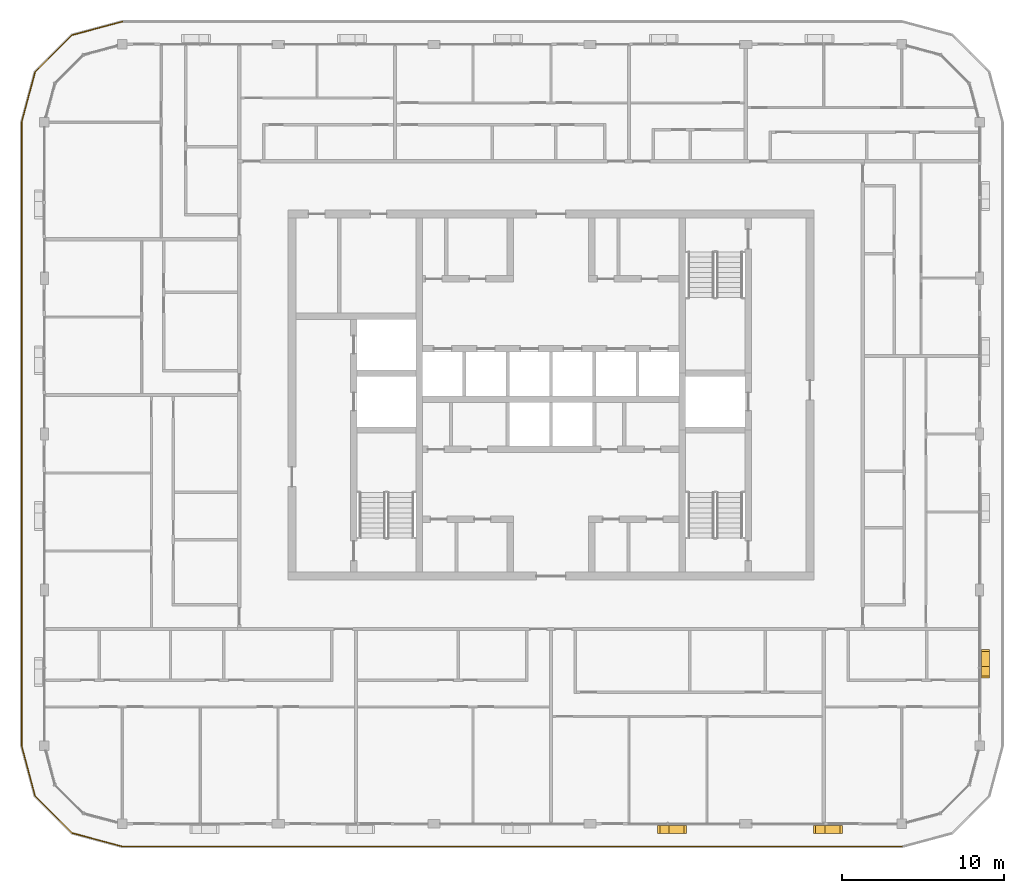
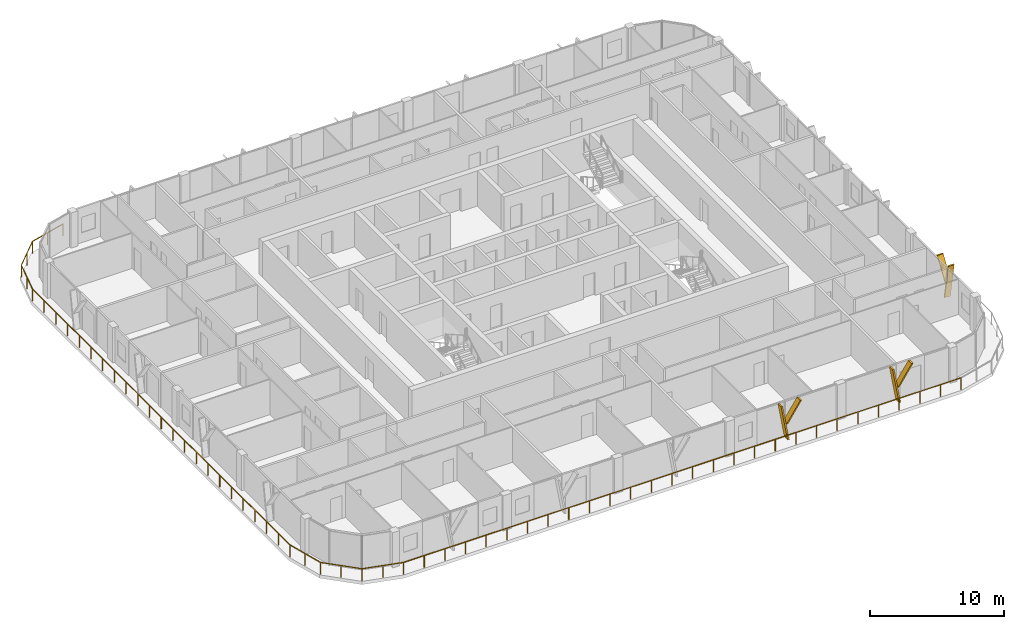
# One storey, part 18 of 21: 6 shading devices, 1 railing.
"""IFC4 building model written with IfcOpenShell, lengths in metres."""

from ifc_helpers import new_model, si_unit, direction, frame, origin, origin_2d, place, context, subcontext, project, spatial, polyline, circle, outline, extrude, material, type_object, element, save


model = new_model("IFC4")

# Units and contexts
model_context = context("Model", 3, precision=1e-05, world=origin(), true_north=direction((0.0, 1.0)))
body_context = subcontext(model_context, "Body", "Model", "MODEL_VIEW")
ifc_project = project(units=[si_unit("LENGTHUNIT", "METRE"), si_unit("AREAUNIT", "SQUARE_METRE"), si_unit("VOLUMEUNIT", "CUBIC_METRE"), si_unit("PLANEANGLEUNIT", "RADIAN"), si_unit("MASSUNIT", "GRAM", prefix="KILO")], contexts=[model_context])

# Site, building, storey
site_placement = place(None, origin())
site = spatial("IfcSite", under=ifc_project, at=site_placement, CompositionType="ELEMENT")
building_placement = place(site_placement, origin())
building = spatial("IfcBuilding", under=site, at=building_placement, Name="Madar Terraces", CompositionType="ELEMENT")
storey_placement = place(building_placement, frame((0.0, 0.0, 268.60009765625)))
storey = spatial("IfcBuildingStorey", under=building, at=storey_placement, Name="L70", CompositionType="ELEMENT", Elevation=268.60009765625)

# Railing
ifc_material_1 = material(Name="Glass, safety glazing, with stainless steel posts", Category="steel")
railing_type = type_object("IfcRailingType", Name="Balcony glass guard 1100", PredefinedType="GUARDRAIL", material=ifc_material_1)
railing_placement = place(storey_placement, frame((4.800048828125, 49.39990234375, 0.0)))
element("IfcRailing", 1, at=railing_placement, inside=storey, type_object=railing_type, Name="Balcony guard", PredefinedType="GUARDRAIL", context=body_context, shape_type="SweptSolid", body=[
    extrude(circle(Radius=0.02392578125, at=origin_2d()), frame((0.0, 0.0, 1.076171875), z_axis=(-0.9659337912, -0.258789317819, 0.0), x_axis=(0.258789317819, -0.9659337912, 0.0)), (0.0, 0.0, 1.0), 3.20947265625),
    extrude(circle(Radius=0.02392578125, at=origin_2d()), frame((-3.10009765625, -0.83056640625, 1.076171875), z_axis=(-0.707106781187, -0.707106781187, 0.0), x_axis=(0.707106781187, -0.707106781187, 0.0)), (0.0, 0.0, 1.0), 3.209228515625),
    extrude(circle(Radius=0.02392578125, at=origin_2d()), frame((-5.369384765625, -3.099853515625, 1.076171875), z_axis=(-0.258789317819, -0.9659337912, 0.0), x_axis=(0.9659337912, -0.258789317819, 0.0)), (0.0, 0.0, 1.0), 3.20947265625),
    extrude(circle(Radius=0.02392578125, at=origin_2d()), frame((-6.199951171875, -6.199951171875, 1.076171875), z_axis=(0.0, -1.0, 0.0), x_axis=(1.0, 0.0, 0.0)), (0.0, 0.0, 1.0), 38.39990234375),
    extrude(circle(Radius=0.02392578125, at=origin_2d()), frame((-6.199951171875, -44.599853515625, 1.076171875), z_axis=(0.258789317819, -0.9659337912, 0.0), x_axis=(0.9659337912, 0.258789317819, 0.0)), (0.0, 0.0, 1.0), 3.20947265625),
    extrude(circle(Radius=0.02392578125, at=origin_2d()), frame((-5.369384765625, -47.699951171875, 1.076171875), z_axis=(0.707106781187, -0.707106781187, 0.0), x_axis=(0.707106781187, 0.707106781187, 0.0)), (0.0, 0.0, 1.0), 3.209228515625),
    extrude(circle(Radius=0.02392578125, at=origin_2d()), frame((-3.10009765625, -49.96923828125, 1.076171875), z_axis=(0.9659337912, -0.258789317819, 0.0), x_axis=(0.258789317819, 0.9659337912, 0.0)), (0.0, 0.0, 1.0), 3.20947265625),
    extrude(circle(Radius=0.02392578125, at=origin_2d()), frame((0.0, -50.7998046875, 1.076171875), z_axis=(1.0, 0.0, 0.0), x_axis=(0.0, 1.0, 0.0)), (0.0, 0.0, 1.0), 48.0),
    extrude(circle(Radius=0.02099609375, at=origin_2d()), origin(), (0.0, 0.0, 1.0), 1.052001953125),
    extrude(circle(Radius=0.02099609375, at=origin_2d()), frame((-1.550048828125, -0.415283203125, 0.0)), (0.0, 0.0, 1.0), 1.052001953125),
    extrude(circle(Radius=0.02099609375, at=origin_2d()), frame((-3.10009765625, -0.83056640625, 0.0)), (0.0, 0.0, 1.0), 1.052001953125),
    extrude(circle(Radius=0.02099609375, at=origin_2d()), frame((-4.23486328125, -1.96533203125, 0.0)), (0.0, 0.0, 1.0), 1.052001953125),
    extrude(circle(Radius=0.02099609375, at=origin_2d()), frame((-5.369384765625, -3.099853515625, 0.0)), (0.0, 0.0, 1.0), 1.052001953125),
    extrude(circle(Radius=0.02099609375, at=origin_2d()), frame((-5.78466796875, -4.64990234375, 0.0)), (0.0, 0.0, 1.0), 1.052001953125),
    extrude(circle(Radius=0.02099609375, at=origin_2d()), frame((-6.199951171875, -6.199951171875, 0.0)), (0.0, 0.0, 1.0), 1.052001953125),
    extrude(circle(Radius=0.02099609375, at=origin_2d()), frame((-6.199951171875, -7.9453125, 0.0)), (0.0, 0.0, 1.0), 1.052001953125),
    extrude(circle(Radius=0.02099609375, at=origin_2d()), frame((-6.199951171875, -9.69091796875, 0.0)), (0.0, 0.0, 1.0), 1.052001953125),
    extrude(circle(Radius=0.02099609375, at=origin_2d()), frame((-6.199951171875, -11.436279296875, 0.0)), (0.0, 0.0, 1.0), 1.052001953125),
    extrude(circle(Radius=0.02099609375, at=origin_2d()), frame((-6.199951171875, -13.181640625, 0.0)), (0.0, 0.0, 1.0), 1.052001953125),
    extrude(circle(Radius=0.02099609375, at=origin_2d()), frame((-6.199951171875, -14.92724609375, 0.0)), (0.0, 0.0, 1.0), 1.052001953125),
    extrude(circle(Radius=0.02099609375, at=origin_2d()), frame((-6.199951171875, -16.672607421875, 0.0)), (0.0, 0.0, 1.0), 1.052001953125),
    extrude(circle(Radius=0.02099609375, at=origin_2d()), frame((-6.199951171875, -18.418212890625, 0.0)), (0.0, 0.0, 1.0), 1.052001953125),
    extrude(circle(Radius=0.02099609375, at=origin_2d()), frame((-6.199951171875, -20.16357421875, 0.0)), (0.0, 0.0, 1.0), 1.052001953125),
    extrude(circle(Radius=0.02099609375, at=origin_2d()), frame((-6.199951171875, -21.908935546875, 0.0)), (0.0, 0.0, 1.0), 1.052001953125),
    extrude(circle(Radius=0.02099609375, at=origin_2d()), frame((-6.199951171875, -23.654541015625, 0.0)), (0.0, 0.0, 1.0), 1.052001953125),
    extrude(circle(Radius=0.02099609375, at=origin_2d()), frame((-6.199951171875, -25.39990234375, 0.0)), (0.0, 0.0, 1.0), 1.052001953125),
    extrude(circle(Radius=0.02099609375, at=origin_2d()), frame((-6.199951171875, -27.145263671875, 0.0)), (0.0, 0.0, 1.0), 1.052001953125),
    extrude(circle(Radius=0.02099609375, at=origin_2d()), frame((-6.199951171875, -28.890869140625, 0.0)), (0.0, 0.0, 1.0), 1.052001953125),
    extrude(circle(Radius=0.02099609375, at=origin_2d()), frame((-6.199951171875, -30.63623046875, 0.0)), (0.0, 0.0, 1.0), 1.052001953125),
    extrude(circle(Radius=0.02099609375, at=origin_2d()), frame((-6.199951171875, -32.381591796875, 0.0)), (0.0, 0.0, 1.0), 1.052001953125),
    extrude(circle(Radius=0.02099609375, at=origin_2d()), frame((-6.199951171875, -34.127197265625, 0.0)), (0.0, 0.0, 1.0), 1.052001953125),
    extrude(circle(Radius=0.02099609375, at=origin_2d()), frame((-6.199951171875, -35.87255859375, 0.0)), (0.0, 0.0, 1.0), 1.052001953125),
    extrude(circle(Radius=0.02099609375, at=origin_2d()), frame((-6.199951171875, -37.6181640625, 0.0)), (0.0, 0.0, 1.0), 1.052001953125),
    extrude(circle(Radius=0.02099609375, at=origin_2d()), frame((-6.199951171875, -39.363525390625, 0.0)), (0.0, 0.0, 1.0), 1.052001953125),
    extrude(circle(Radius=0.02099609375, at=origin_2d()), frame((-6.199951171875, -41.10888671875, 0.0)), (0.0, 0.0, 1.0), 1.052001953125),
    extrude(circle(Radius=0.02099609375, at=origin_2d()), frame((-6.199951171875, -42.8544921875, 0.0)), (0.0, 0.0, 1.0), 1.052001953125),
    extrude(circle(Radius=0.02099609375, at=origin_2d()), frame((-6.199951171875, -44.599853515625, 0.0)), (0.0, 0.0, 1.0), 1.052001953125),
    extrude(circle(Radius=0.02099609375, at=origin_2d()), frame((-5.78466796875, -46.14990234375, 0.0)), (0.0, 0.0, 1.0), 1.052001953125),
    extrude(circle(Radius=0.02099609375, at=origin_2d()), frame((-5.369384765625, -47.699951171875, 0.0)), (0.0, 0.0, 1.0), 1.052001953125),
    extrude(circle(Radius=0.02099609375, at=origin_2d()), frame((-4.23486328125, -48.83447265625, 0.0)), (0.0, 0.0, 1.0), 1.052001953125),
    extrude(circle(Radius=0.02099609375, at=origin_2d()), frame((-3.10009765625, -49.96923828125, 0.0)), (0.0, 0.0, 1.0), 1.052001953125),
    extrude(circle(Radius=0.02099609375, at=origin_2d()), frame((-1.550048828125, -50.384521484375, 0.0)), (0.0, 0.0, 1.0), 1.052001953125),
    extrude(circle(Radius=0.02099609375, at=origin_2d()), frame((0.0, -50.7998046875, 0.0)), (0.0, 0.0, 1.0), 1.052001953125),
    extrude(circle(Radius=0.02099609375, at=origin_2d()), frame((1.77783203125, -50.7998046875, 0.0)), (0.0, 0.0, 1.0), 1.052001953125),
    extrude(circle(Radius=0.02099609375, at=origin_2d()), frame((3.5556640625, -50.7998046875, 0.0)), (0.0, 0.0, 1.0), 1.052001953125),
    extrude(circle(Radius=0.02099609375, at=origin_2d()), frame((5.333251953125, -50.7998046875, 0.0)), (0.0, 0.0, 1.0), 1.052001953125),
    extrude(circle(Radius=0.02099609375, at=origin_2d()), frame((7.111083984375, -50.7998046875, 0.0)), (0.0, 0.0, 1.0), 1.052001953125),
    extrude(circle(Radius=0.02099609375, at=origin_2d()), frame((8.888916015625, -50.7998046875, 0.0)), (0.0, 0.0, 1.0), 1.052001953125),
    extrude(circle(Radius=0.02099609375, at=origin_2d()), frame((10.666748046875, -50.7998046875, 0.0)), (0.0, 0.0, 1.0), 1.052001953125),
    extrude(circle(Radius=0.02099609375, at=origin_2d()), frame((12.4443359375, -50.7998046875, 0.0)), (0.0, 0.0, 1.0), 1.052001953125),
    extrude(circle(Radius=0.02099609375, at=origin_2d()), frame((14.22216796875, -50.7998046875, 0.0)), (0.0, 0.0, 1.0), 1.052001953125),
    extrude(circle(Radius=0.02099609375, at=origin_2d()), frame((16.0, -50.7998046875, 0.0)), (0.0, 0.0, 1.0), 1.052001953125),
    extrude(circle(Radius=0.02099609375, at=origin_2d()), frame((17.77783203125, -50.7998046875, 0.0)), (0.0, 0.0, 1.0), 1.052001953125),
    extrude(circle(Radius=0.02099609375, at=origin_2d()), frame((19.5556640625, -50.7998046875, 0.0)), (0.0, 0.0, 1.0), 1.052001953125),
    extrude(circle(Radius=0.02099609375, at=origin_2d()), frame((21.333251953125, -50.7998046875, 0.0)), (0.0, 0.0, 1.0), 1.052001953125),
    extrude(circle(Radius=0.02099609375, at=origin_2d()), frame((23.111083984375, -50.7998046875, 0.0)), (0.0, 0.0, 1.0), 1.052001953125),
    extrude(circle(Radius=0.02099609375, at=origin_2d()), frame((24.888916015625, -50.7998046875, 0.0)), (0.0, 0.0, 1.0), 1.052001953125),
    extrude(circle(Radius=0.02099609375, at=origin_2d()), frame((26.666748046875, -50.7998046875, 0.0)), (0.0, 0.0, 1.0), 1.052001953125),
    extrude(circle(Radius=0.02099609375, at=origin_2d()), frame((28.4443359375, -50.7998046875, 0.0)), (0.0, 0.0, 1.0), 1.052001953125),
    extrude(circle(Radius=0.02099609375, at=origin_2d()), frame((30.22216796875, -50.7998046875, 0.0)), (0.0, 0.0, 1.0), 1.052001953125),
    extrude(circle(Radius=0.02099609375, at=origin_2d()), frame((32.0, -50.7998046875, 0.0)), (0.0, 0.0, 1.0), 1.052001953125),
    extrude(circle(Radius=0.02099609375, at=origin_2d()), frame((33.77783203125, -50.7998046875, 0.0)), (0.0, 0.0, 1.0), 1.052001953125),
    extrude(circle(Radius=0.02099609375, at=origin_2d()), frame((35.5556640625, -50.7998046875, 0.0)), (0.0, 0.0, 1.0), 1.052001953125),
    extrude(circle(Radius=0.02099609375, at=origin_2d()), frame((37.333251953125, -50.7998046875, 0.0)), (0.0, 0.0, 1.0), 1.052001953125),
    extrude(circle(Radius=0.02099609375, at=origin_2d()), frame((39.111083984375, -50.7998046875, 0.0)), (0.0, 0.0, 1.0), 1.052001953125),
    extrude(circle(Radius=0.02099609375, at=origin_2d()), frame((40.888916015625, -50.7998046875, 0.0)), (0.0, 0.0, 1.0), 1.052001953125),
    extrude(circle(Radius=0.02099609375, at=origin_2d()), frame((42.666748046875, -50.7998046875, 0.0)), (0.0, 0.0, 1.0), 1.052001953125),
    extrude(circle(Radius=0.02099609375, at=origin_2d()), frame((44.4443359375, -50.7998046875, 0.0)), (0.0, 0.0, 1.0), 1.052001953125),
    extrude(circle(Radius=0.02099609375, at=origin_2d()), frame((46.22216796875, -50.7998046875, 0.0)), (0.0, 0.0, 1.0), 1.052001953125),
    extrude(circle(Radius=0.02099609375, at=origin_2d()), frame((48.0, -50.7998046875, 0.0)), (0.0, 0.0, 1.0), 1.052001953125),
])

# Shading devices
ifc_material_2 = material(Name="Aluminium, black anodised", Category="aluminium")
shading_device_type = type_object("IfcShadingDeviceType", Name="Facade fin blade 140 x 500", PredefinedType="USERDEFINED", material=ifc_material_2)
shading_device_1_placement = place(storey_placement, frame((38.330078125, -0.35009765625, 0.0), z_axis=(0.0, 0.0, 1.0), x_axis=(1.0, 0.0, 0.0)))
element("IfcShadingDevice", 2, at=shading_device_1_placement, inside=storey, type_object=shading_device_type, Name="FIN L70 S4", ObjectType="FIN", PredefinedType="USERDEFINED", context=body_context, shape_type="SweptSolid", body=[
    extrude(outline(polyline([(0.0, 0.0), (0.139892578125, 0.0), (-0.42431640625, 3.199951171875), (-0.564208984375, 3.199951171875), (0.0, 0.0)])), frame((0.0, 0.25, 0.0), z_axis=(0.0, -1.0, 0.0), x_axis=(1.0, 0.0, 0.0)), (0.0, 0.0, 1.0), 0.5),
])
shading_device_2_placement = place(storey_placement, frame((38.216064453125, -0.35009765625, 1.43994140625), z_axis=(0.0, 0.0, 1.0), x_axis=(1.0, 0.0, 0.0)))
element("IfcShadingDevice", 3, at=shading_device_2_placement, inside=storey, type_object=shading_device_type, Name="FIN L70 S4 branch", ObjectType="FIN", PredefinedType="USERDEFINED", context=body_context, shape_type="SweptSolid", body=[
    extrude(outline(polyline([(0.0, 0.0), (0.14013671875, 0.0), (1.32958984375, 1.760009765625), (1.189697265625, 1.760009765625), (0.0, 0.0)])), frame((0.0, 0.25, 0.0), z_axis=(0.0, -1.0, 0.0), x_axis=(1.0, 0.0, 0.0)), (0.0, 0.0, 1.0), 0.5),
])
shading_device_3_placement = place(storey_placement, frame((47.929931640625, -0.35009765625, 0.0), z_axis=(0.0, 0.0, 1.0), x_axis=(1.0, 0.0, 0.0)))
element("IfcShadingDevice", 4, at=shading_device_3_placement, inside=storey, type_object=shading_device_type, Name="FIN L70 S5", ObjectType="FIN", PredefinedType="USERDEFINED", context=body_context, shape_type="SweptSolid", body=[
    extrude(outline(polyline([(0.0, 0.0), (0.14013671875, 0.0), (-0.42431640625, 3.199951171875), (-0.564208984375, 3.199951171875), (0.0, 0.0)])), frame((0.0, 0.25, 0.0), z_axis=(0.0, -1.0, 0.0), x_axis=(1.0, 0.0, 0.0)), (0.0, 0.0, 1.0), 0.5),
])
shading_device_4_placement = place(storey_placement, frame((47.816162109375, -0.35009765625, 1.43994140625), z_axis=(0.0, 0.0, 1.0), x_axis=(1.0, 0.0, 0.0)))
element("IfcShadingDevice", 5, at=shading_device_4_placement, inside=storey, type_object=shading_device_type, Name="FIN L70 S5 branch", ObjectType="FIN", PredefinedType="USERDEFINED", context=body_context, shape_type="SweptSolid", body=[
    extrude(outline(polyline([(0.0, 0.0), (0.139892578125, 0.0), (1.32958984375, 1.760009765625), (1.189697265625, 1.760009765625), (0.0, 0.0)])), frame((0.0, 0.25, 0.0), z_axis=(0.0, -1.0, 0.0), x_axis=(1.0, 0.0, 0.0)), (0.0, 0.0, 1.0), 0.5),
])
shading_device_5_placement = place(storey_placement, frame((57.949951171875, 9.530029296875, 0.0), z_axis=(0.0, 0.0, 1.0), x_axis=(0.0, 1.0, 0.0)))
element("IfcShadingDevice", 6, at=shading_device_5_placement, inside=storey, type_object=shading_device_type, Name="FIN L70 E1", ObjectType="FIN", PredefinedType="USERDEFINED", context=body_context, shape_type="SweptSolid", body=[
    extrude(outline(polyline([(0.0, 0.0), (0.139892578125, 0.0), (-0.42431640625, 3.199951171875), (-0.564208984375, 3.199951171875), (0.0, 0.0)])), frame((0.0, 0.25, 0.0), z_axis=(0.0, -1.0, 0.0), x_axis=(1.0, 0.0, 0.0)), (0.0, 0.0, 1.0), 0.5),
])
shading_device_6_placement = place(storey_placement, frame((57.949951171875, 9.416015625, 1.43994140625), z_axis=(0.0, 0.0, 1.0), x_axis=(0.0, 1.0, 0.0)))
element("IfcShadingDevice", 7, at=shading_device_6_placement, inside=storey, type_object=shading_device_type, Name="FIN L70 E1 branch", ObjectType="FIN", PredefinedType="USERDEFINED", context=body_context, shape_type="SweptSolid", body=[
    extrude(outline(polyline([(0.0, 0.0), (0.14013671875, 0.0), (1.32958984375, 1.760009765625), (1.189697265625, 1.760009765625), (0.0, 0.0)])), frame((0.0, 0.25, 0.0), z_axis=(0.0, -1.0, 0.0), x_axis=(1.0, 0.0, 0.0)), (0.0, 0.0, 1.0), 0.5),
])

save(model, "model.ifc")
